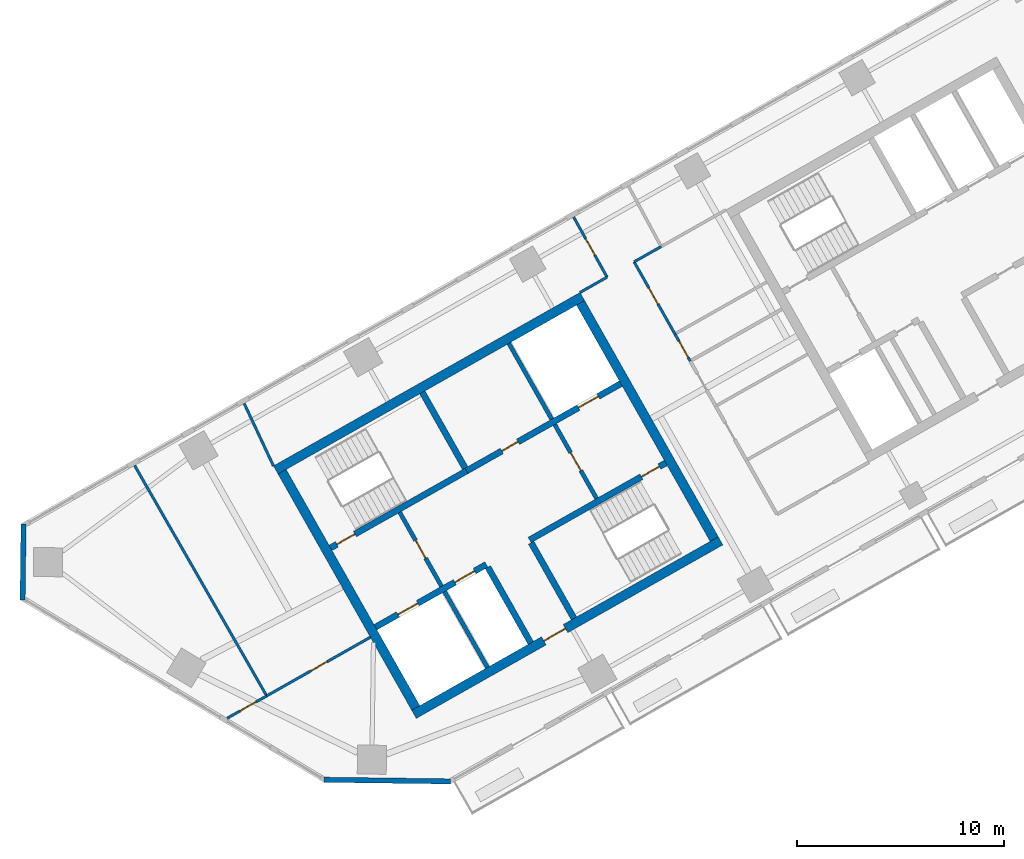
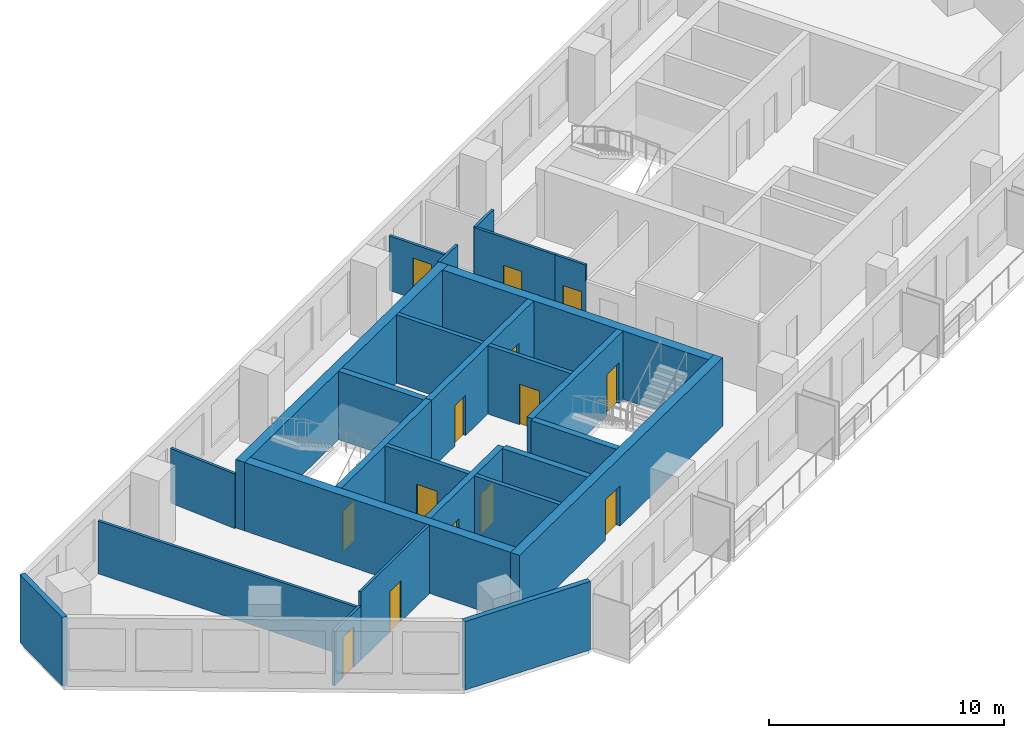
# One storey, part 3 of 11: 26 walls, 14 doors, 14 openings.
"""IFC4 building model written with IfcOpenShell, lengths in metres."""

from ifc_helpers import new_model, si_unit, direction, frame, frame_2d, origin, place, context, subcontext, project, spatial, rectangle, extrude, material, layer, layer_set, type_object, element, fill, save


model = new_model("IFC4")

# Units and contexts
model_context = context("Model", 3, precision=1e-05, world=origin(), true_north=direction((0.0, 1.0)))
body_context = subcontext(model_context, "Body", "Model", "MODEL_VIEW")
ifc_project = project(units=[si_unit("LENGTHUNIT", "METRE"), si_unit("AREAUNIT", "SQUARE_METRE"), si_unit("VOLUMEUNIT", "CUBIC_METRE"), si_unit("PLANEANGLEUNIT", "RADIAN"), si_unit("MASSUNIT", "GRAM", prefix="KILO")], contexts=[model_context])

# Site, building, storey
site_placement = place(None, origin())
site = spatial("IfcSite", under=ifc_project, at=site_placement, CompositionType="ELEMENT")
building_placement = place(site_placement, origin())
building = spatial("IfcBuilding", under=site, at=building_placement, Name="Binnacle Exchange Tower", CompositionType="ELEMENT")
storey_placement = place(building_placement, frame((0.0, 0.0, 227.0)))
storey = spatial("IfcBuildingStorey", under=building, at=storey_placement, Name="L50", CompositionType="ELEMENT", Elevation=227.0)

# Wall, openings, doors
ifc_material_1 = material(Name="Concrete C70/85", Category="concrete")
ifc_layer_1 = layer(ifc_material_1, 0.300048828125)
ifc_layer_set_1 = layer_set([ifc_layer_1], Name="Core wall - front 300")
wall_type_1 = type_object("IfcWallType", Name="Core wall - front 300", PredefinedType="SOLIDWALL", material=ifc_layer_set_1)
wall_1_placement = place(storey_placement, frame((-41.6865234375, 33.88720703125, 0.0), z_axis=(0.0, 0.0, 1.0), x_axis=(0.870355736587, 0.49242348826, 0.0)))
wall_1 = element("IfcWall", 1, at=wall_1_placement, inside=storey, type_object=wall_type_1, Name="Core wall CRWA2", PredefinedType="SOLIDWALL", context=body_context, shape_type="SweptSolid", body=[
    extrude(rectangle(XDim=6.14990234375, YDim=0.300048828125, at=frame_2d((3.074951171875, 0.0))), origin(), (0.0, 0.0, 1.0), 3.550048828125),
])
opening_1_placement = place(wall_1_placement, frame((1.25, 0.0, 0.0)))
opening_1 = element("IfcOpeningElement", 2, at=opening_1_placement, cuts=wall_1, Name="Opening LD12", PredefinedType="OPENING", context=body_context, shape_type="SweptSolid", body=[
    extrude(rectangle(XDim=1.10009765625, YDim=2.10009765625, at=frame_2d((0.550048828125, 1.050048828125))), frame((0.0, 0.159912109375, 0.0), z_axis=(0.0, -1.0, 0.0), x_axis=(1.0, 0.0, 0.0)), (0.0, 0.0, 1.0), 0.320068359375),
])
opening_2_placement = place(wall_1_placement, frame((4.39990234375, 0.0, 0.0)))
opening_2 = element("IfcOpeningElement", 3, at=opening_2_placement, cuts=wall_1, Name="Opening LD8", PredefinedType="OPENING", context=body_context, shape_type="SweptSolid", body=[
    extrude(rectangle(XDim=1.10009765625, YDim=2.10009765625, at=frame_2d((0.550048828125, 1.050048828125))), frame((0.0, 0.159912109375, 0.0), z_axis=(0.0, -1.0, 0.0), x_axis=(1.0, 0.0, 0.0)), (0.0, 0.0, 1.0), 0.320068359375),
])
ifc_material_2 = material(Name="Steel door leaf", Category="steel")
door_type_1 = type_object("IfcDoorType", Name="Fire door - lift landing 1100", OperationType="NOTDEFINED", PredefinedType="DOOR", material=ifc_material_2)
door_1_placement = place(opening_1_placement, origin())
door_1 = element("IfcDoor", 4, at=door_1_placement, inside=storey, type_object=door_type_1, Name="Landing door LD12 L50", OperationType="DOUBLE_DOOR_SLIDING", OverallHeight=2.10009765625, OverallWidth=1.10009765625, PredefinedType="DOOR", context=body_context, shape_type="SweptSolid", body=[
    extrude(rectangle(XDim=1.10009765625, YDim=2.10009765625, at=frame_2d((0.550048828125, 1.050048828125))), frame((0.0, 0.02490234375, 0.0), z_axis=(0.0, -1.0, 0.0), x_axis=(1.0, 0.0, 0.0)), (0.0, 0.0, 1.0), 0.050048828125),
])
fill(opening_1, door_1)
door_2_placement = place(opening_2_placement, origin())
door_2 = element("IfcDoor", 5, at=door_2_placement, inside=storey, type_object=door_type_1, Name="Landing door LD8 L50", OperationType="DOUBLE_DOOR_SLIDING", OverallHeight=2.10009765625, OverallWidth=1.10009765625, PredefinedType="DOOR", context=body_context, shape_type="SweptSolid", body=[
    extrude(rectangle(XDim=1.10009765625, YDim=2.10009765625, at=frame_2d((0.550048828125, 1.050048828125))), frame((0.0, 0.02490234375, 0.0), z_axis=(0.0, -1.0, 0.0), x_axis=(1.0, 0.0, 0.0)), (0.0, 0.0, 1.0), 0.050048828125),
])
fill(opening_2, door_2)

wall_2_placement = place(storey_placement, frame((-37.281982421875, 41.4345703125, 0.0), z_axis=(0.0, 0.0, 1.0), x_axis=(0.870352688754, 0.492428875248, 0.0)))
wall_2 = element("IfcWall", 6, at=wall_2_placement, inside=storey, type_object=wall_type_1, Name="Core wall CRWA5", PredefinedType="SOLIDWALL", context=body_context, shape_type="SweptSolid", body=[
    extrude(rectangle(XDim=8.5498046875, YDim=0.300048828125, at=frame_2d((4.27490234375, 0.0))), origin(), (0.0, 0.0, 1.0), 3.550048828125),
])
opening_3_placement = place(wall_2_placement, frame((6.199951171875, 0.0, 0.0)))
opening_3 = element("IfcOpeningElement", 7, at=opening_3_placement, cuts=wall_2, Name="Opening LD13", PredefinedType="OPENING", context=body_context, shape_type="SweptSolid", body=[
    extrude(rectangle(XDim=1.10009765625, YDim=2.10009765625, at=frame_2d((0.550048828125, 1.050048828125))), frame((0.0, 0.159912109375, 0.0), z_axis=(0.0, -1.0, 0.0), x_axis=(1.0, 0.0, 0.0)), (0.0, 0.0, 1.0), 0.320068359375),
])
opening_4_placement = place(wall_2_placement, frame((1.949951171875, 0.0, 0.0)))
opening_4 = element("IfcOpeningElement", 8, at=opening_4_placement, cuts=wall_2, Name="Opening DA10", PredefinedType="OPENING", context=body_context, shape_type="SweptSolid", body=[
    extrude(rectangle(XDim=0.89990234375, YDim=2.10009765625, at=frame_2d((0.449951171875, 1.050048828125))), frame((0.0, 0.159912109375, 0.0), z_axis=(0.0, -1.0, 0.0), x_axis=(1.0, 0.0, 0.0)), (0.0, 0.0, 1.0), 0.320068359375),
])
door_3_placement = place(opening_3_placement, origin())
door_3 = element("IfcDoor", 9, at=door_3_placement, inside=storey, type_object=door_type_1, Name="Landing door LD13 L50", OperationType="DOUBLE_DOOR_SLIDING", OverallHeight=2.10009765625, OverallWidth=1.10009765625, PredefinedType="DOOR", context=body_context, shape_type="SweptSolid", body=[
    extrude(rectangle(XDim=1.10009765625, YDim=2.10009765625, at=frame_2d((0.550048828125, 1.050048828125))), frame((0.0, 0.02490234375, 0.0), z_axis=(0.0, -1.0, 0.0), x_axis=(1.0, 0.0, 0.0)), (0.0, 0.0, 1.0), 0.050048828125),
])
fill(opening_3, door_3)
door_type_2 = type_object("IfcDoorType", Name="Fire door 900", OperationType="NOTDEFINED", PredefinedType="DOOR", material=ifc_material_2)
door_4_placement = place(opening_4_placement, origin())
door_4 = element("IfcDoor", 10, at=door_4_placement, inside=storey, type_object=door_type_2, Name="Core room door TELECOM RISER ROOM", OperationType="SINGLE_SWING_LEFT", OverallHeight=2.10009765625, OverallWidth=0.89990234375, PredefinedType="DOOR", context=body_context, shape_type="SweptSolid", body=[
    extrude(rectangle(XDim=0.89990234375, YDim=2.10009765625, at=frame_2d((0.449951171875, 1.050048828125))), frame((0.0, 0.02490234375, 0.0), z_axis=(0.0, -1.0, 0.0), x_axis=(1.0, 0.0, 0.0)), (0.0, 0.0, 1.0), 0.050048828125),
])
fill(opening_4, door_4)

# Wall
wall_3_placement = place(storey_placement, frame((-36.260009765625, 36.784912109375, 0.0), z_axis=(0.0, 0.0, 1.0), x_axis=(0.492409653846, -0.870363563575, 0.0)))
element("IfcWall", 11, at=wall_3_placement, inside=storey, type_object=wall_type_1, Name="Core wall CRWA13", PredefinedType="SOLIDWALL", context=body_context, shape_type="SweptSolid", body=[
    extrude(rectangle(XDim=4.199951171875, YDim=0.300048828125, at=frame_2d((2.10009765625, 0.0))), origin(), (0.0, 0.0, 1.0), 3.550048828125),
])

# Wall, opening, door
ifc_layer_2 = layer(ifc_material_1, 0.449951171875)
ifc_layer_set_2 = layer_set([ifc_layer_2], Name="Core wall - outer 450")
wall_type_2 = type_object("IfcWallType", Name="Core wall - outer 450", PredefinedType="SOLIDWALL", material=ifc_layer_set_2)
wall_4_placement = place(storey_placement, frame((-39.825439453125, 29.68359375, 0.0), z_axis=(0.0, 0.0, 1.0), x_axis=(0.870353598469, 0.492427267353, 0.0)))
wall_4 = element("IfcWall", 12, at=wall_4_placement, inside=storey, type_object=wall_type_2, Name="Core wall CRWA1", PredefinedType="SOLIDWALL", context=body_context, shape_type="SweptSolid", body=[
    extrude(rectangle(XDim=17.000244140625, YDim=0.449951171875, at=frame_2d((8.5, 0.0))), origin(), (0.0, 0.0, 1.0), 3.550048828125),
])
opening_5_placement = place(wall_4_placement, frame((7.199951171875, 0.0, 0.0)))
opening_5 = element("IfcOpeningElement", 13, at=opening_5_placement, cuts=wall_4, Name="Opening DA7", PredefinedType="OPENING", context=body_context, shape_type="SweptSolid", body=[
    extrude(rectangle(XDim=1.199951171875, YDim=2.10009765625, at=frame_2d((0.60009765625, 1.050048828125))), frame((0.0, 0.23486328125, 0.0), z_axis=(0.0, -1.0, 0.0), x_axis=(1.0, 0.0, 0.0)), (0.0, 0.0, 1.0), 0.469970703125),
])
door_type_3 = type_object("IfcDoorType", Name="Fire door 1200", OperationType="NOTDEFINED", PredefinedType="DOOR", material=ifc_material_2)
door_5_placement = place(opening_5_placement, frame((1.199951171875, 0.0, 0.0), z_axis=(0.0, 0.0, 1.0), x_axis=(-1.0, 0.0, 0.0)))
door_5 = element("IfcDoor", 14, at=door_5_placement, inside=storey, type_object=door_type_3, Name="Lift lobby entrance door core A", OperationType="SINGLE_SWING_RIGHT", OverallHeight=2.10009765625, OverallWidth=1.199951171875, PredefinedType="DOOR", context=body_context, shape_type="SweptSolid", body=[
    extrude(rectangle(XDim=1.199951171875, YDim=2.10009765625, at=frame_2d((0.60009765625, 1.050048828125))), frame((0.0, 0.02490234375, 0.0), z_axis=(0.0, -1.0, 0.0), x_axis=(1.0, 0.0, 0.0)), (0.0, 0.0, 1.0), 0.050048828125),
])
fill(opening_5, door_5)

# Walls
wall_5_placement = place(storey_placement, frame((-46.497802734375, 41.47705078125, 0.0), z_axis=(0.0, 0.0, 1.0), x_axis=(0.870359753402, 0.492416388494, 0.0)))
element("IfcWall", 15, at=wall_5_placement, inside=storey, type_object=wall_type_2, Name="Core wall CRWA6", PredefinedType="SOLIDWALL", context=body_context, shape_type="SweptSolid", body=[
    extrude(rectangle(XDim=17.0, YDim=0.449951171875, at=frame_2d((8.5, 0.0))), origin(), (0.0, 0.0, 1.0), 3.550048828125),
])
for number, where, z_axis, x_axis, name in (
    (16, (-46.191162109375, 41.391845703125, 0.0), (0.0, 0.0, 1.0), (0.492421378713, -0.870356930107, 0.0), "Core wall CRWA7"),
    (17, (-31.78662109375, 49.54150390625, 0.0), (0.0, 0.0, 1.0), (0.492421378713, -0.870356930107, 0.0), "Core wall CRWA22"),
):
    element("IfcWall", number, at=place(storey_placement, frame(where, z_axis=z_axis, x_axis=x_axis)), inside=storey, type_object=wall_type_2, Name=name, PredefinedType="SOLIDWALL", context=body_context, shape_type="SweptSolid", body=[
        extrude(rectangle(XDim=13.099853515625, YDim=0.449951171875, at=frame_2d((6.5498046875, 0.0))), origin(), (0.0, 0.0, 1.0), 3.550048828125),
    ])

# Wall, opening, door
ifc_layer_3 = layer(ifc_material_1, 0.300048828125)
ifc_layer_set_3 = layer_set([ifc_layer_3], Name="Core wall - stair 300")
wall_type_3 = type_object("IfcWallType", Name="Core wall - stair 300", PredefinedType="SOLIDWALL", material=ifc_layer_set_3)
wall_6_placement = place(storey_placement, frame((-34.2451171875, 38.097412109375, 0.0), z_axis=(0.0, 0.0, 1.0), x_axis=(0.870360409231, 0.492415229297, 0.0)))
wall_6 = element("IfcWall", 18, at=wall_6_placement, inside=storey, type_object=wall_type_3, Name="Core wall CRWA3", PredefinedType="SOLIDWALL", context=body_context, shape_type="SweptSolid", body=[
    extrude(rectangle(XDim=7.550048828125, YDim=0.300048828125, at=frame_2d((3.77490234375, 0.0))), origin(), (0.0, 0.0, 1.0), 3.550048828125),
])
opening_6_placement = place(wall_6_placement, frame((6.199951171875, 0.0, 0.0)))
opening_6 = element("IfcOpeningElement", 19, at=opening_6_placement, cuts=wall_6, Name="Opening DA2", PredefinedType="OPENING", context=body_context, shape_type="SweptSolid", body=[
    extrude(rectangle(XDim=1.0, YDim=2.10009765625, at=frame_2d((0.5, 1.050048828125))), frame((0.0, 0.159912109375, 0.0), z_axis=(0.0, -1.0, 0.0), x_axis=(1.0, 0.0, 0.0)), (0.0, 0.0, 1.0), 0.320068359375),
])
door_type_4 = type_object("IfcDoorType", Name="Fire door 1000", OperationType="NOTDEFINED", PredefinedType="DOOR", material=ifc_material_2)
door_6_placement = place(opening_6_placement, frame((1.0, 0.0, 0.0), z_axis=(0.0, 0.0, 1.0), x_axis=(-1.0, 0.0, 0.0)))
door_6 = element("IfcDoor", 20, at=door_6_placement, inside=storey, type_object=door_type_4, Name="Stair door ST-A2", OperationType="SINGLE_SWING_LEFT", OverallHeight=2.10009765625, OverallWidth=1.0, PredefinedType="DOOR", context=body_context, shape_type="SweptSolid", body=[
    extrude(rectangle(XDim=1.0, YDim=2.10009765625, at=frame_2d((0.5, 1.050048828125))), frame((0.0, 0.02490234375, 0.0), z_axis=(0.0, -1.0, 0.0), x_axis=(1.0, 0.0, 0.0)), (0.0, 0.0, 1.0), 0.050048828125),
])
fill(opening_6, door_6)

wall_7_placement = place(storey_placement, frame((-43.853271484375, 37.716796875, 0.0), z_axis=(0.0, 0.0, 1.0), x_axis=(0.870360409231, 0.492415229297, 0.0)))
wall_7 = element("IfcWall", 21, at=wall_7_placement, inside=storey, type_object=wall_type_3, Name="Core wall CRWA4", PredefinedType="SOLIDWALL", context=body_context, shape_type="SweptSolid", body=[
    extrude(rectangle(XDim=7.550048828125, YDim=0.300048828125, at=frame_2d((3.77490234375, 0.0))), origin(), (0.0, 0.0, 1.0), 3.550048828125),
])
opening_7_placement = place(wall_7_placement, frame((0.35009765625, 0.0, 0.0)))
opening_7 = element("IfcOpeningElement", 22, at=opening_7_placement, cuts=wall_7, Name="Opening DA1", PredefinedType="OPENING", context=body_context, shape_type="SweptSolid", body=[
    extrude(rectangle(XDim=1.0, YDim=2.10009765625, at=frame_2d((0.5, 1.050048828125))), frame((0.0, 0.159912109375, 0.0), z_axis=(0.0, -1.0, 0.0), x_axis=(1.0, 0.0, 0.0)), (0.0, 0.0, 1.0), 0.320068359375),
])
door_7_placement = place(opening_7_placement, origin())
door_7 = element("IfcDoor", 23, at=door_7_placement, inside=storey, type_object=door_type_4, Name="Stair door ST-A1", OperationType="SINGLE_SWING_LEFT", OverallHeight=2.10009765625, OverallWidth=1.0, PredefinedType="DOOR", context=body_context, shape_type="SweptSolid", body=[
    extrude(rectangle(XDim=1.0, YDim=2.10009765625, at=frame_2d((0.5, 1.050048828125))), frame((0.0, 0.02490234375, 0.0), z_axis=(0.0, -1.0, 0.0), x_axis=(1.0, 0.0, 0.0)), (0.0, 0.0, 1.0), 0.050048828125),
])
fill(opening_7, door_7)

# Walls
for number, where, z_axis, x_axis, name in (
    (24, (-39.424072265625, 45.220458984375, 0.0), (0.0, 0.0, 1.0), (0.492409653846, -0.870363563575, 0.0), "Core wall CRWA14"),
    (25, (-34.171142578125, 37.966796875, 0.0), (0.0, 0.0, 1.0), (0.492409653846, -0.870363563575, 0.0), "Core wall CRWA16"),
):
    element("IfcWall", number, at=place(storey_placement, frame(where, z_axis=z_axis, x_axis=x_axis)), inside=storey, type_object=wall_type_3, Name=name, PredefinedType="SOLIDWALL", context=body_context, shape_type="SweptSolid", body=[
        extrude(rectangle(XDim=4.199951171875, YDim=0.300048828125, at=frame_2d((2.10009765625, 0.0))), origin(), (0.0, 0.0, 1.0), 3.550048828125),
    ])
ifc_material_3 = material(Name="Bronze aluminium cladding", Category="aluminium")
ifc_layer_4 = layer(ifc_material_3, 0.25)
ifc_layer_set_4 = layer_set([ifc_layer_4], Name="External wall - window wall 250")
wall_type_4 = type_object("IfcWallType", Name="External wall - window wall 250", PredefinedType="STANDARD", material=ifc_layer_set_4)
wall_8_placement = place(storey_placement, frame((-38.06396484375, 26.44482421875, 0.0), z_axis=(0.0, 0.0, 1.0), x_axis=(-0.999914239143, 0.013096349097, 0.0)))
element("IfcWall", 26, at=wall_8_placement, inside=storey, type_object=wall_type_4, Name="External wall EW-G00 L50", PredefinedType="STANDARD", context=body_context, shape_type="SweptSolid", body=[
    extrude(rectangle(XDim=6.114501953125, YDim=0.25, at=frame_2d((3.05712890625, 0.0))), origin(), (0.0, 0.0, 1.0), 3.550048828125),
])
wall_9_placement = place(storey_placement, frame((-58.717041015625, 35.208251953125, 0.0), z_axis=(0.0, 0.0, 1.0), x_axis=(0.01310512158, 0.999914124207, 0.0)))
element("IfcWall", 27, at=wall_9_placement, inside=storey, type_object=wall_type_4, Name="External wall EW-G09 L50", PredefinedType="STANDARD", context=body_context, shape_type="SweptSolid", body=[
    extrude(rectangle(XDim=3.669921875, YDim=0.25, at=frame_2d((1.8349609375, 0.0))), origin(), (0.0, 0.0, 1.0), 3.550048828125),
])

# Wall, opening, door
ifc_material_4 = material(Name="Masonry block wall", Category="masonry")
ifc_layer_5 = layer(ifc_material_4, 0.199951171875)
ifc_layer_set_5 = layer_set([ifc_layer_5], Name="Fire wall - vestibule 200")
wall_type_5 = type_object("IfcWallType", Name="Fire wall - vestibule 200", PredefinedType="PARTITIONING", material=ifc_layer_set_5)
wall_10_placement = place(storey_placement, frame((-40.515625, 39.4326171875, 0.0), z_axis=(0.0, 0.0, 1.0), x_axis=(0.492453559952, -0.87033872216, 0.0)))
wall_10 = element("IfcWall", 28, at=wall_10_placement, inside=storey, type_object=wall_type_5, Name="Core wall CRWA10", PredefinedType="PARTITIONING", context=body_context, shape_type="SweptSolid", body=[
    extrude(rectangle(XDim=4.099853515625, YDim=0.199951171875, at=frame_2d((2.0498046875, 0.0))), origin(), (0.0, 0.0, 1.0), 3.550048828125),
])
opening_8_placement = place(wall_10_placement, frame((1.550048828125, 0.0, 0.0)))
opening_8 = element("IfcOpeningElement", 29, at=opening_8_placement, cuts=wall_10, Name="Opening DA3", PredefinedType="OPENING", context=body_context, shape_type="SweptSolid", body=[
    extrude(rectangle(XDim=1.0, YDim=2.10009765625, at=frame_2d((0.5, 1.050048828125))), frame((0.0, 0.10986328125, 0.0), z_axis=(0.0, -1.0, 0.0), x_axis=(1.0, 0.0, 0.0)), (0.0, 0.0, 1.0), 0.219970703125),
])
door_8_placement = place(opening_8_placement, frame((1.0, 0.0, 0.0), z_axis=(0.0, 0.0, 1.0), x_axis=(-1.0, 0.0, 0.0)))
door_8 = element("IfcDoor", 30, at=door_8_placement, inside=storey, type_object=door_type_4, Name="Vestibule door VEST-W", OperationType="SINGLE_SWING_LEFT", OverallHeight=2.10009765625, OverallWidth=1.0, PredefinedType="DOOR", context=body_context, shape_type="SweptSolid", body=[
    extrude(rectangle(XDim=1.0, YDim=2.10009765625, at=frame_2d((0.5, 1.050048828125))), frame((0.0, 0.02490234375, 0.0), z_axis=(0.0, -1.0, 0.0), x_axis=(1.0, 0.0, 0.0)), (0.0, 0.0, 1.0), 0.050048828125),
])
fill(opening_8, door_8)

wall_11_placement = place(storey_placement, frame((-33.030517578125, 43.66748046875, 0.0), z_axis=(0.0, 0.0, 1.0), x_axis=(0.492408451753, -0.87036424366, 0.0)))
wall_11 = element("IfcWall", 31, at=wall_11_placement, inside=storey, type_object=wall_type_5, Name="Core wall CRWA19", PredefinedType="PARTITIONING", context=body_context, shape_type="SweptSolid", body=[
    extrude(rectangle(XDim=4.099853515625, YDim=0.199951171875, at=frame_2d((2.0498046875, 0.0))), origin(), (0.0, 0.0, 1.0), 3.550048828125),
])
opening_9_placement = place(wall_11_placement, frame((1.550048828125, 0.0, 0.0)))
opening_9 = element("IfcOpeningElement", 32, at=opening_9_placement, cuts=wall_11, Name="Opening DA4", PredefinedType="OPENING", context=body_context, shape_type="SweptSolid", body=[
    extrude(rectangle(XDim=1.0, YDim=2.10009765625, at=frame_2d((0.5, 1.050048828125))), frame((0.0, 0.10986328125, 0.0), z_axis=(0.0, -1.0, 0.0), x_axis=(1.0, 0.0, 0.0)), (0.0, 0.0, 1.0), 0.219970703125),
])
door_9_placement = place(opening_9_placement, origin())
door_9 = element("IfcDoor", 33, at=door_9_placement, inside=storey, type_object=door_type_4, Name="Vestibule door VEST-E", OperationType="SINGLE_SWING_RIGHT", OverallHeight=2.10009765625, OverallWidth=1.0, PredefinedType="DOOR", context=body_context, shape_type="SweptSolid", body=[
    extrude(rectangle(XDim=1.0, YDim=2.10009765625, at=frame_2d((0.5, 1.050048828125))), frame((0.0, 0.02490234375, 0.0), z_axis=(0.0, -1.0, 0.0), x_axis=(1.0, 0.0, 0.0)), (0.0, 0.0, 1.0), 0.050048828125),
])
fill(opening_9, door_9)

# Wall
ifc_material_5 = material(Name="Gypsum partition")
ifc_layer_6 = layer(ifc_material_5, 0.125)
ifc_layer_set_6 = layer_set([ifc_layer_6], Name="Partition 125")
wall_type_6 = type_object("IfcWallType", Name="Partition 125", PredefinedType="PARTITIONING", material=ifc_layer_set_6)
wall_12_placement = place(storey_placement, frame((-53.31103515625, 41.695068359375, 0.0), z_axis=(0.0, 0.0, 1.0), x_axis=(0.497344363303, -0.867553216979, 0.0)))
element("IfcWall", 34, at=wall_12_placement, inside=storey, type_object=wall_type_6, Name="Partition W01", PredefinedType="PARTITIONING", context=body_context, shape_type="SweptSolid", body=[
    extrude(rectangle(XDim=12.820068359375, YDim=0.125, at=frame_2d((6.41015625, 0.0))), origin(), (0.0, 0.0, 1.0), 2.72998046875),
])

# Wall, opening, door
wall_13_placement = place(storey_placement, frame((-48.843017578125, 29.493896484375, 0.0), z_axis=(0.0, 0.0, 1.0), x_axis=(0.870427970258, 0.492295793799, 0.0)))
wall_13 = element("IfcWall", 35, at=wall_13_placement, inside=storey, type_object=wall_type_6, Name="Partition W02", PredefinedType="PARTITIONING", context=body_context, shape_type="SweptSolid", body=[
    extrude(rectangle(XDim=2.19189453125, YDim=0.125, at=frame_2d((1.095947265625, 0.0))), origin(), (0.0, 0.0, 1.0), 2.830078125),
])
opening_10_placement = place(wall_13_placement, frame((0.699951171875, 0.0, 0.0)))
opening_10 = element("IfcOpeningElement", 36, at=opening_10_placement, cuts=wall_13, Name="Opening DL48-01", PredefinedType="OPENING", context=body_context, shape_type="SweptSolid", body=[
    extrude(rectangle(XDim=0.89990234375, YDim=2.10009765625, at=frame_2d((0.449951171875, 1.050048828125))), frame((0.0, 0.072509765625, 0.0), z_axis=(0.0, -1.0, 0.0), x_axis=(1.0, 0.0, 0.0)), (0.0, 0.0, 1.0), 0.14501953125),
])
ifc_material_6 = material(Name="Timber door leaf", Category="wood")
door_type_5 = type_object("IfcDoorType", Name="Door 900", OperationType="NOTDEFINED", PredefinedType="DOOR", material=ifc_material_6)
door_10_placement = place(opening_10_placement, origin())
door_10 = element("IfcDoor", 37, at=door_10_placement, inside=storey, type_object=door_type_5, Name="Door DL48-01", OperationType="SINGLE_SWING_RIGHT", OverallHeight=2.10009765625, OverallWidth=0.89990234375, PredefinedType="DOOR", context=body_context, shape_type="SweptSolid", body=[
    extrude(rectangle(XDim=0.89990234375, YDim=2.10009765625, at=frame_2d((0.449951171875, 1.050048828125))), frame((0.0, 0.02490234375, 0.0), z_axis=(0.0, -1.0, 0.0), x_axis=(1.0, 0.0, 0.0)), (0.0, 0.0, 1.0), 0.050048828125),
])
fill(opening_10, door_10)

# Wall
wall_14_placement = place(storey_placement, frame((-48.02197265625, 44.68701171875, 0.0), z_axis=(0.0, 0.0, 1.0), x_axis=(0.424510917438, -0.905422818895, 0.0)))
element("IfcWall", 38, at=wall_14_placement, inside=storey, type_object=wall_type_6, Name="Partition W03", PredefinedType="PARTITIONING", context=body_context, shape_type="SweptSolid", body=[
    extrude(rectangle(XDim=3.328857421875, YDim=0.125, at=frame_2d((1.66455078125, 0.0))), origin(), (0.0, 0.0, 1.0), 2.830078125),
])

# Wall, opening, door
wall_15_placement = place(storey_placement, frame((-46.93505859375, 30.572998046875, 0.0), z_axis=(0.0, 0.0, 1.0), x_axis=(0.870367427407, 0.492402824229, 0.0)))
wall_15 = element("IfcWall", 39, at=wall_15_placement, inside=storey, type_object=wall_type_6, Name="Partition W04", PredefinedType="PARTITIONING", context=body_context, shape_type="SweptSolid", body=[
    extrude(rectangle(XDim=5.74951171875, YDim=0.125, at=frame_2d((2.874755859375, 0.0))), origin(), (0.0, 0.0, 1.0), 3.550048828125),
])
opening_11_placement = place(wall_15_placement, frame((2.449951171875, 0.0, 0.0)))
opening_11 = element("IfcOpeningElement", 40, at=opening_11_placement, cuts=wall_15, Name="Opening DL48-02", PredefinedType="OPENING", context=body_context, shape_type="SweptSolid", body=[
    extrude(rectangle(XDim=0.89990234375, YDim=2.10009765625, at=frame_2d((0.449951171875, 1.050048828125))), frame((0.0, 0.072509765625, 0.0), z_axis=(0.0, -1.0, 0.0), x_axis=(1.0, 0.0, 0.0)), (0.0, 0.0, 1.0), 0.14501953125),
])
door_11_placement = place(opening_11_placement, origin())
door_11 = element("IfcDoor", 41, at=door_11_placement, inside=storey, type_object=door_type_5, Name="Door DL48-02", OperationType="SINGLE_SWING_RIGHT", OverallHeight=2.10009765625, OverallWidth=0.89990234375, PredefinedType="DOOR", context=body_context, shape_type="SweptSolid", body=[
    extrude(rectangle(XDim=0.89990234375, YDim=2.10009765625, at=frame_2d((0.449951171875, 1.050048828125))), frame((0.0, 0.02490234375, 0.0), z_axis=(0.0, -1.0, 0.0), x_axis=(1.0, 0.0, 0.0)), (0.0, 0.0, 1.0), 0.050048828125),
])
fill(opening_11, door_11)

wall_16_placement = place(storey_placement, frame((-32.12109375, 53.68310546875, 0.0), z_axis=(0.0, 0.0, 1.0), x_axis=(0.486292328656, -0.873796183952, 0.0)))
wall_16 = element("IfcWall", 42, at=wall_16_placement, inside=storey, type_object=wall_type_6, Name="Partition W05", PredefinedType="PARTITIONING", context=body_context, shape_type="SweptSolid", body=[
    extrude(rectangle(XDim=3.319091796875, YDim=0.125, at=frame_2d((1.65966796875, 0.0))), origin(), (0.0, 0.0, 1.0), 2.830078125),
])
opening_12_placement = place(wall_16_placement, frame((1.199951171875, 0.0, 0.0)))
opening_12 = element("IfcOpeningElement", 43, at=opening_12_placement, cuts=wall_16, Name="Opening DL48-03", PredefinedType="OPENING", context=body_context, shape_type="SweptSolid", body=[
    extrude(rectangle(XDim=0.89990234375, YDim=2.10009765625, at=frame_2d((0.449951171875, 1.050048828125))), frame((0.0, 0.072509765625, 0.0), z_axis=(0.0, -1.0, 0.0), x_axis=(1.0, 0.0, 0.0)), (0.0, 0.0, 1.0), 0.14501953125),
])
door_12_placement = place(opening_12_placement, frame((0.89990234375, 0.0, 0.0), z_axis=(0.0, 0.0, 1.0), x_axis=(-1.0, 0.0, 0.0)))
door_12 = element("IfcDoor", 44, at=door_12_placement, inside=storey, type_object=door_type_5, Name="Door DL48-03", OperationType="SINGLE_SWING_RIGHT", OverallHeight=2.10009765625, OverallWidth=0.89990234375, PredefinedType="DOOR", context=body_context, shape_type="SweptSolid", body=[
    extrude(rectangle(XDim=0.89990234375, YDim=2.10009765625, at=frame_2d((0.449951171875, 1.050048828125))), frame((0.0, 0.02490234375, 0.0), z_axis=(0.0, -1.0, 0.0), x_axis=(1.0, 0.0, 0.0)), (0.0, 0.0, 1.0), 0.050048828125),
])
fill(opening_12, door_12)

# Walls
for number, where, z_axis, x_axis, name in (
    (45, (-31.81201171875, 50.0439453125, 0.0), (0.0, 0.0, 1.0), (0.870150176056, 0.492786638526, 0.0), "Partition W06"),
    (46, (-29.200927734375, 51.52099609375, 0.0), (0.0, 0.0, 1.0), (0.870150176056, 0.492786638526, 0.0), "Partition W08"),
):
    element("IfcWall", number, at=place(storey_placement, frame(where, z_axis=z_axis, x_axis=x_axis)), inside=storey, type_object=wall_type_6, Name=name, PredefinedType="PARTITIONING", context=body_context, shape_type="SweptSolid", body=[
        extrude(rectangle(XDim=1.499755859375, YDim=0.125, at=frame_2d((0.75, 0.0))), origin(), (0.0, 0.0, 1.0), 3.550048828125),
    ])

# Wall, opening, door
wall_17_placement = place(storey_placement, frame((-29.200927734375, 51.52099609375, 0.0), z_axis=(0.0, 0.0, 1.0), x_axis=(0.492340861121, -0.870402479587, 0.0)))
wall_17 = element("IfcWall", 47, at=wall_17_placement, inside=storey, type_object=wall_type_6, Name="Partition W09", PredefinedType="PARTITIONING", context=body_context, shape_type="SweptSolid", body=[
    extrude(rectangle(XDim=3.999267578125, YDim=0.125, at=frame_2d((1.99951171875, 0.0))), origin(), (0.0, 0.0, 1.0), 3.550048828125),
])
opening_13_placement = place(wall_17_placement, frame((1.449951171875, 0.0, 0.0)))
opening_13 = element("IfcOpeningElement", 48, at=opening_13_placement, cuts=wall_17, Name="Opening DL48-04", PredefinedType="OPENING", context=body_context, shape_type="SweptSolid", body=[
    extrude(rectangle(XDim=0.89990234375, YDim=2.10009765625, at=frame_2d((0.449951171875, 1.050048828125))), frame((0.0, 0.072509765625, 0.0), z_axis=(0.0, -1.0, 0.0), x_axis=(1.0, 0.0, 0.0)), (0.0, 0.0, 1.0), 0.14501953125),
])
door_13_placement = place(opening_13_placement, origin())
door_13 = element("IfcDoor", 49, at=door_13_placement, inside=storey, type_object=door_type_5, Name="Door DL48-04", OperationType="SINGLE_SWING_LEFT", OverallHeight=2.10009765625, OverallWidth=0.89990234375, PredefinedType="DOOR", context=body_context, shape_type="SweptSolid", body=[
    extrude(rectangle(XDim=0.89990234375, YDim=2.10009765625, at=frame_2d((0.449951171875, 1.050048828125))), frame((0.0, 0.02490234375, 0.0), z_axis=(0.0, -1.0, 0.0), x_axis=(1.0, 0.0, 0.0)), (0.0, 0.0, 1.0), 0.050048828125),
])
fill(opening_13, door_13)

wall_18_placement = place(storey_placement, frame((-27.23193359375, 48.0400390625, 0.0), z_axis=(0.0, 0.0, 1.0), x_axis=(0.492437810475, -0.870347633314, 0.0)))
wall_18 = element("IfcWall", 50, at=wall_18_placement, inside=storey, type_object=wall_type_6, Name="Partition W11", PredefinedType="PARTITIONING", context=body_context, shape_type="SweptSolid", body=[
    extrude(rectangle(XDim=1.500732421875, YDim=0.125, at=frame_2d((0.75048828125, 0.0))), origin(), (0.0, 0.0, 1.0), 3.550048828125),
])
opening_14_placement = place(wall_18_placement, frame((0.39990234375, 0.0, 0.0)))
opening_14 = element("IfcOpeningElement", 51, at=opening_14_placement, cuts=wall_18, Name="Opening DL48-08", PredefinedType="OPENING", context=body_context, shape_type="SweptSolid", body=[
    extrude(rectangle(XDim=0.89990234375, YDim=2.10009765625, at=frame_2d((0.449951171875, 1.050048828125))), frame((0.0, 0.072509765625, 0.0), z_axis=(0.0, -1.0, 0.0), x_axis=(1.0, 0.0, 0.0)), (0.0, 0.0, 1.0), 0.14501953125),
])
door_14_placement = place(opening_14_placement, origin())
door_14 = element("IfcDoor", 52, at=door_14_placement, inside=storey, type_object=door_type_5, Name="Door DL48-08", OperationType="SINGLE_SWING_RIGHT", OverallHeight=2.10009765625, OverallWidth=0.89990234375, PredefinedType="DOOR", context=body_context, shape_type="SweptSolid", body=[
    extrude(rectangle(XDim=0.89990234375, YDim=2.10009765625, at=frame_2d((0.449951171875, 1.050048828125))), frame((0.0, 0.02490234375, 0.0), z_axis=(0.0, -1.0, 0.0), x_axis=(1.0, 0.0, 0.0)), (0.0, 0.0, 1.0), 0.050048828125),
])
fill(opening_14, door_14)

# Walls
ifc_layer_7 = layer(ifc_material_4, 0.199951171875)
ifc_layer_set_7 = layer_set([ifc_layer_7], Name="Shaft wall 200")
wall_type_7 = type_object("IfcWallType", Name="Shaft wall 200", PredefinedType="SOLIDWALL", material=ifc_layer_set_7)
for number, where, z_axis, x_axis, name in (
    (53, (-38.348876953125, 35.603271484375, 0.0), (0.0, 0.0, 1.0), (0.492409653846, -0.870363563575, 0.0), "Core wall CRWA9"),
    (54, (-35.246337890625, 47.584228515625, 0.0), (0.0, 0.0, 1.0), (0.492409653846, -0.870363563575, 0.0), "Core wall CRWA21"),
):
    element("IfcWall", number, at=place(storey_placement, frame(where, z_axis=z_axis, x_axis=x_axis)), inside=storey, type_object=wall_type_7, Name=name, PredefinedType="SOLIDWALL", context=body_context, shape_type="SweptSolid", body=[
        extrude(rectangle(XDim=4.199951171875, YDim=0.199951171875, at=frame_2d((2.10009765625, 0.0))), origin(), (0.0, 0.0, 1.0), 3.550048828125),
    ])

save(model, "model.ifc")
